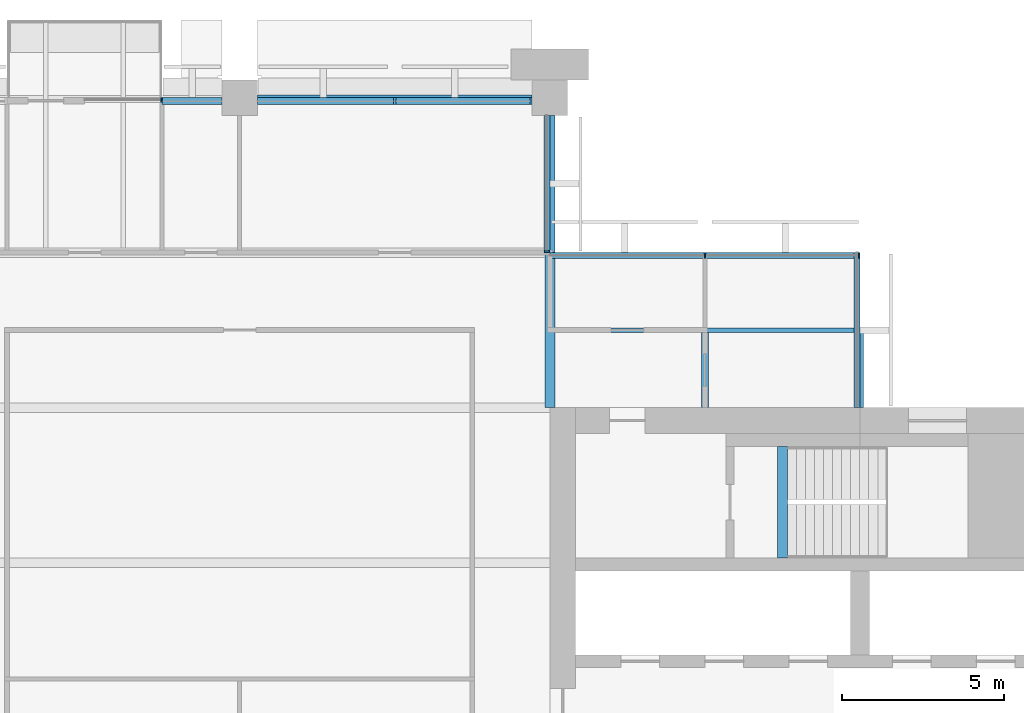
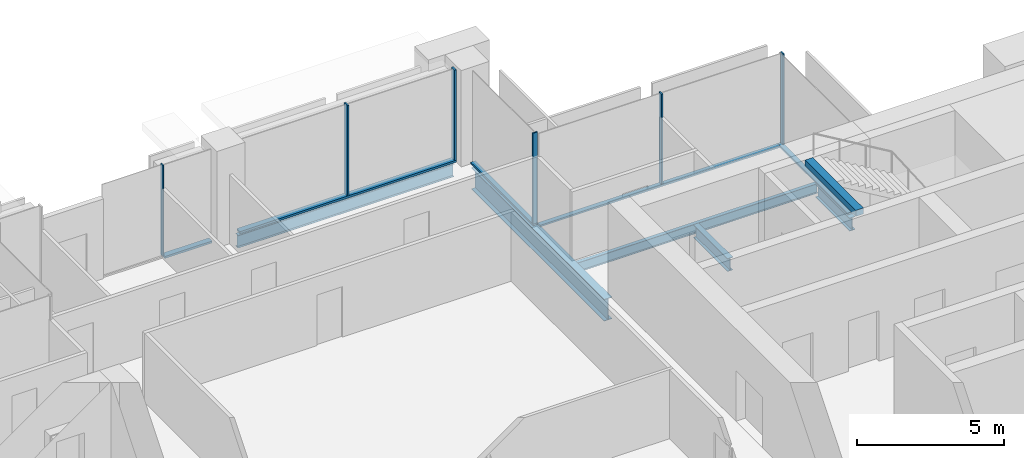
# One storey, part 6 of 14: 11 members, 6 beams, 5 elements without a shape of their own.
"""IFC4 building model written with IfcOpenShell, lengths in metres."""

from ifc_helpers import new_model, si_unit, direction, frame, origin, origin_2d, place, context, subcontext, project, spatial, rectangle, i_section, extrude, material, material_profile, profile_set, type_object, element, aggregate, save


model = new_model("IFC4")

# Units and contexts
model_context = context("Model", 3, precision=1e-05, world=origin(), true_north=direction((0.0, 1.0)))
body_context = subcontext(model_context, "Body", "Model", "MODEL_VIEW")
ifc_project = project(units=[si_unit("LENGTHUNIT", "METRE"), si_unit("AREAUNIT", "SQUARE_METRE"), si_unit("VOLUMEUNIT", "CUBIC_METRE"), si_unit("PLANEANGLEUNIT", "RADIAN"), si_unit("MASSUNIT", "GRAM", prefix="KILO")], contexts=[model_context])

# Site, building, storey
site_placement = place(None, origin())
site = spatial("IfcSite", under=ifc_project, at=site_placement, CompositionType="ELEMENT")
building_placement = place(site_placement, origin())
building = spatial("IfcBuilding", under=site, at=building_placement, Name="Baori Bourse Tower", CompositionType="ELEMENT")
storey_placement = place(building_placement, frame((0.0, 0.0, 233.199951171875)))
storey = spatial("IfcBuildingStorey", under=building, at=storey_placement, Name="L51", CompositionType="ELEMENT", Elevation=233.199951171875)

# Curtain wall, members
ifc_material_1 = material(Name="Pale anodised aluminium", Category="aluminium")
curtain_wall_type_1 = type_object("IfcCurtainWallType", Name="CW2 Curtain wall", PredefinedType="NOTDEFINED", material=ifc_material_1)
curtain_wall_1_placement = place(storey_placement, origin())
curtain_wall_1 = element("IfcCurtainWall", 1, at=curtain_wall_1_placement, inside=storey, type_object=curtain_wall_type_1, Name="Curtain wall CW2 L51 2", PredefinedType="NOTDEFINED")
ifc_material_2 = material(Name="Pale anodised aluminium", Category="aluminium")
ifc_material_profile_1 = material_profile(ifc_material_2, rectangle(XDim=0.179931640625, YDim=0.054931640625, at=origin_2d()), Name="Mullion 55x180")
ifc_profile_set_1 = profile_set([ifc_material_profile_1], Name="Pale anodised aluminium")
member_type_1 = type_object("IfcMemberType", Name="CW2 Curtain wall mullion", PredefinedType="MULLION", material=ifc_profile_set_1)
member_1_placement = place(storey_placement, frame((47.972412109375, 43.110107421875, 0.070068359375), z_axis=(0.0, 0.0, 1.0), x_axis=(0.0, -1.0, 0.0)))
member_1 = element("IfcMember", 2, at=member_1_placement, type_object=member_type_1, Name="Curtain wall CW2 mullion", PredefinedType="MULLION", context=body_context, shape_type="SweptSolid", body=[
    extrude(rectangle(XDim=0.179931640625, YDim=0.054931640625, at=origin_2d()), origin(), (0.0, 0.0, 1.0), 3.77001953125),
])
member_2_placement = place(storey_placement, frame((43.199951171875, 43.110107421875, 0.070068359375), z_axis=(0.0, 0.0, 1.0), x_axis=(0.0, -1.0, 0.0)))
member_2 = element("IfcMember", 3, at=member_2_placement, type_object=member_type_1, Name="Curtain wall CW2 mullion", PredefinedType="MULLION", context=body_context, shape_type="SweptSolid", body=[
    extrude(rectangle(XDim=0.179931640625, YDim=0.054931640625, at=origin_2d()), origin(), (0.0, 0.0, 1.0), 3.77001953125),
])

# Curtain wall, member
curtain_wall_2_placement = place(storey_placement, origin())
curtain_wall_2 = element("IfcCurtainWall", 4, at=curtain_wall_2_placement, inside=storey, type_object=curtain_wall_type_1, Name="Curtain wall CW2 L51 3", PredefinedType="NOTDEFINED")
member_3_placement = place(storey_placement, frame((38.31005859375, 43.2275390625, 0.070068359375), z_axis=(0.0, 0.0, 1.0), x_axis=(-1.0, 0.0, 0.0)))
member_3 = element("IfcMember", 5, at=member_3_placement, type_object=member_type_1, Name="Curtain wall CW2 mullion", PredefinedType="MULLION", context=body_context, shape_type="SweptSolid", body=[
    extrude(rectangle(XDim=0.179931640625, YDim=0.054931640625, at=origin_2d()), origin(), (0.0, 0.0, 1.0), 3.77001953125),
])

curtain_wall_3_placement = place(storey_placement, origin())
curtain_wall_3 = element("IfcCurtainWall", 6, at=curtain_wall_3_placement, inside=storey, type_object=curtain_wall_type_1, Name="Curtain wall CW2 L51 1", PredefinedType="NOTDEFINED")
ifc_material_3 = material(Name="Pale anodised aluminium", Category="aluminium")
ifc_material_profile_2 = material_profile(ifc_material_3, rectangle(XDim=0.179931640625, YDim=0.070068359375, at=origin_2d()), Name="Transom 70x180")
ifc_profile_set_2 = profile_set([ifc_material_profile_2], Name="Pale anodised aluminium")
member_type_2 = type_object("IfcMemberType", Name="CW2 Curtain wall transom", PredefinedType="USERDEFINED", material=ifc_profile_set_2)
member_4_placement = place(storey_placement, frame((47.909912109375, 38.39990234375, 0.03515625), z_axis=(0.0, 1.0, 0.0), x_axis=(-1.0, 0.0, 0.0)))
member_4 = element("IfcMember", 7, at=member_4_placement, type_object=member_type_2, Name="Curtain wall CW2 sill rail", ObjectType="TRANSOM", PredefinedType="USERDEFINED", context=body_context, shape_type="SweptSolid", body=[
    extrude(rectangle(XDim=0.179931640625, YDim=0.070068359375, at=origin_2d()), origin(), (0.0, 0.0, 1.0), 4.800048828125),
])
aggregate(curtain_wall_3, [member_4])

# Member
member_5_placement = place(storey_placement, frame((48.0, 43.110107421875, 0.03515625), z_axis=(-1.0, 0.0, 0.0), x_axis=(0.0, -1.0, 0.0)))
member_5 = element("IfcMember", 8, at=member_5_placement, type_object=member_type_2, Name="Curtain wall CW2 sill rail", ObjectType="TRANSOM", PredefinedType="USERDEFINED", context=body_context, shape_type="SweptSolid", body=[
    extrude(rectangle(XDim=0.179931640625, YDim=0.070068359375, at=origin_2d()), origin(), (0.0, 0.0, 1.0), 9.60009765625),
])

aggregate(curtain_wall_1, [member_5, member_1, member_2])

member_6_placement = place(storey_placement, frame((38.31005859375, 43.199951171875, 0.03515625), z_axis=(0.0, 1.0, 0.0), x_axis=(-1.0, 0.0, 0.0)))
member_6 = element("IfcMember", 9, at=member_6_placement, type_object=member_type_2, Name="Curtain wall CW2 sill rail", ObjectType="TRANSOM", PredefinedType="USERDEFINED", context=body_context, shape_type="SweptSolid", body=[
    extrude(rectangle(XDim=0.179931640625, YDim=0.070068359375, at=origin_2d()), origin(), (0.0, 0.0, 1.0), 4.25),
])

aggregate(curtain_wall_2, [member_6, member_3])

# Curtain wall, members
ifc_material_4 = material(Name="Pale anodised aluminium", Category="aluminium")
curtain_wall_type_2 = type_object("IfcCurtainWallType", Name="CW5 Curtain wall", PredefinedType="NOTDEFINED", material=ifc_material_4)
curtain_wall_4_placement = place(storey_placement, origin())
curtain_wall_4 = element("IfcCurtainWall", 10, at=curtain_wall_4_placement, inside=storey, type_object=curtain_wall_type_2, Name="Curtain wall CW5 L51 4", PredefinedType="NOTDEFINED")
ifc_material_5 = material(Name="Pale anodised aluminium", Category="aluminium")
ifc_material_profile_3 = material_profile(ifc_material_5, rectangle(XDim=0.219970703125, YDim=0.06494140625, at=origin_2d()), Name="Mullion 65x220")
ifc_profile_set_3 = profile_set([ifc_material_profile_3], Name="Pale anodised aluminium")
member_type_3 = type_object("IfcMemberType", Name="CW5 Curtain wall mullion", PredefinedType="MULLION", material=ifc_profile_set_3)
member_7_placement = place(storey_placement, frame((37.8173828125, 47.889892578125, 0.0849609375), z_axis=(0.0, 0.0, 1.0), x_axis=(0.0, -1.0, 0.0)))
member_7 = element("IfcMember", 11, at=member_7_placement, type_object=member_type_3, Name="Curtain wall CW5 mullion", PredefinedType="MULLION", context=body_context, shape_type="SweptSolid", body=[
    extrude(rectangle(XDim=0.219970703125, YDim=0.06494140625, at=origin_2d()), origin(), (0.0, 0.0, 1.0), 3.755126953125),
])
member_8_placement = place(storey_placement, frame((33.60009765625, 47.889892578125, 0.0849609375), z_axis=(0.0, 0.0, 1.0), x_axis=(0.0, -1.0, 0.0)))
member_8 = element("IfcMember", 12, at=member_8_placement, type_object=member_type_3, Name="Curtain wall CW5 mullion", PredefinedType="MULLION", context=body_context, shape_type="SweptSolid", body=[
    extrude(rectangle(XDim=0.219970703125, YDim=0.06494140625, at=origin_2d()), origin(), (0.0, 0.0, 1.0), 3.755126953125),
])
ifc_material_6 = material(Name="Pale anodised aluminium", Category="aluminium")
ifc_material_profile_4 = material_profile(ifc_material_6, rectangle(XDim=0.219970703125, YDim=0.0849609375, at=origin_2d()), Name="Transom 85x220")
ifc_profile_set_4 = profile_set([ifc_material_profile_4], Name="Pale anodised aluminium")
member_type_4 = type_object("IfcMemberType", Name="CW5 Curtain wall transom", PredefinedType="USERDEFINED", material=ifc_profile_set_4)
member_9_placement = place(storey_placement, frame((37.85009765625, 47.889892578125, 0.04248046875), z_axis=(-1.0, 0.0, 0.0), x_axis=(0.0, -1.0, 0.0)))
member_9 = element("IfcMember", 13, at=member_9_placement, type_object=member_type_4, Name="Curtain wall CW5 sill rail", ObjectType="TRANSOM", PredefinedType="USERDEFINED", context=body_context, shape_type="SweptSolid", body=[
    extrude(rectangle(XDim=0.219970703125, YDim=0.0849609375, at=origin_2d()), origin(), (0.0, 0.0, 1.0), 8.5),
])
member_10_placement = place(storey_placement, frame((28.25, 47.889892578125, 0.04248046875), z_axis=(-1.0, 0.0, 0.0), x_axis=(0.0, -1.0, 0.0)))
member_10 = element("IfcMember", 14, at=member_10_placement, type_object=member_type_4, Name="Curtain wall CW5 sill rail", ObjectType="TRANSOM", PredefinedType="USERDEFINED", context=body_context, shape_type="SweptSolid", body=[
    extrude(rectangle(XDim=0.219970703125, YDim=0.0849609375, at=origin_2d()), origin(), (0.0, 0.0, 1.0), 1.85009765625),
])
aggregate(curtain_wall_4, [member_9, member_7, member_8, member_10])

# Curtain wall, member
ifc_material_7 = material(Name="Pale anodised aluminium", Category="aluminium")
curtain_wall_type_3 = type_object("IfcCurtainWallType", Name="CW6 Curtain wall", PredefinedType="NOTDEFINED", material=ifc_material_7)
curtain_wall_5_placement = place(storey_placement, origin())
curtain_wall_5 = element("IfcCurtainWall", 15, at=curtain_wall_5_placement, inside=storey, type_object=curtain_wall_type_3, Name="Curtain wall CW6 L51 5", PredefinedType="NOTDEFINED")
ifc_material_8 = material(Name="Pale anodised aluminium", Category="aluminium")
ifc_material_profile_5 = material_profile(ifc_material_8, rectangle(XDim=0.14990234375, YDim=0.050048828125, at=origin_2d()), Name="Mullion 50x150")
ifc_profile_set_5 = profile_set([ifc_material_profile_5], Name="Pale anodised aluminium")
member_type_5 = type_object("IfcMemberType", Name="CW6 Curtain wall mullion", PredefinedType="MULLION", material=ifc_profile_set_5)
member_11_placement = place(storey_placement, frame((26.375, 47.925048828125, 0.06494140625), z_axis=(0.0, 0.0, 1.0), x_axis=(0.0, -1.0, 0.0)))
member_11 = element("IfcMember", 16, at=member_11_placement, type_object=member_type_5, Name="Curtain wall CW6 mullion", PredefinedType="MULLION", context=body_context, shape_type="SweptSolid", body=[
    extrude(rectangle(XDim=0.14990234375, YDim=0.050048828125, at=origin_2d()), origin(), (0.0, 0.0, 1.0), 3.775146484375),
])
aggregate(curtain_wall_5, [member_11])

# Beams
ifc_material_9 = material(Name="Steel A992 Gr 50", Category="steel")
ifc_material_profile_6 = material_profile(ifc_material_9, i_section(OverallWidth=0.21240234375, OverallDepth=0.54345703125, WebThickness=0.01318359375, FlangeThickness=0.021240234375, at=origin_2d()), Name="W21x83")
ifc_profile_set_6 = profile_set([ifc_material_profile_6], Name="Steel A992 Gr 50")
beam_type_1 = type_object("IfcBeamType", Name="Core bracket W21x83", PredefinedType="BEAM", material=ifc_profile_set_6)
for number, where, z_axis, x_axis, name in (
    (17, (43.199951171875, 38.39990234375, -0.431640625), (0.0, 1.0, 0.0), (-1.0, 0.0, 0.0), "Core bracket L51"),
    (18, (48.0, 38.39990234375, -0.431640625), (0.0, 1.0, 0.0), (-1.0, 0.0, 0.0), "Core bracket L51"),
):
    element("IfcBeam", number, at=place(storey_placement, frame(where, z_axis=z_axis, x_axis=x_axis)), inside=storey, type_object=beam_type_1, Name=name, PredefinedType="BEAM", context=body_context, shape_type="SweptSolid", body=[
        extrude(i_section(OverallWidth=0.21240234375, OverallDepth=0.54345703125, WebThickness=0.01318359375, FlangeThickness=0.021240234375, at=origin_2d()), origin(), (0.0, 0.0, 1.0), 2.329833984375),
    ])
ifc_material_10 = material(Name="Steel A992 Gr 50", Category="steel")
ifc_material_profile_7 = material_profile(ifc_material_10, i_section(OverallWidth=0.1650390625, OverallDepth=0.52587890625, WebThickness=0.0087890625, FlangeThickness=0.011474609375, at=origin_2d()), Name="W21x44")
ifc_profile_set_7 = profile_set([ifc_material_profile_7], Name="Steel A992 Gr 50")
beam_type_2 = type_object("IfcBeamType", Name="Edge beam W21x44", PredefinedType="BEAM", material=ifc_profile_set_7)
beam_1_placement = place(storey_placement, frame((29.35009765625, 48.0, -0.4228515625), z_axis=(1.0, 0.0, 0.0), x_axis=(0.0, 1.0, 0.0)))
element("IfcBeam", 19, at=beam_1_placement, inside=storey, type_object=beam_type_2, Name="Edge beam L51", PredefinedType="BEAM", context=body_context, shape_type="SweptSolid", body=[
    extrude(i_section(OverallWidth=0.1650390625, OverallDepth=0.52587890625, WebThickness=0.0087890625, FlangeThickness=0.011474609375, at=origin_2d()), origin(), (0.0, 0.0, 1.0), 8.5),
])
ifc_material_11 = material(Name="Steel A992 Gr 50", Category="steel")
ifc_material_profile_8 = material_profile(ifc_material_11, i_section(OverallWidth=0.3046875, OverallDepth=0.904296875, WebThickness=0.01513671875, FlangeThickness=0.02001953125, at=origin_2d()), Name="W36x135")
ifc_profile_set_8 = profile_set([ifc_material_profile_8], Name="Steel A992 Gr 50")
beam_type_3 = type_object("IfcBeamType", Name="Girder W36x135", PredefinedType="BEAM", material=ifc_profile_set_8)
beam_2_placement = place(storey_placement, frame((38.39990234375, 38.39990234375, -0.612060546875), z_axis=(0.0, 1.0, 0.0), x_axis=(-1.0, 0.0, 0.0)))
element("IfcBeam", 20, at=beam_2_placement, inside=storey, type_object=beam_type_3, Name="Girder L51", PredefinedType="BEAM", context=body_context, shape_type="SweptSolid", body=[
    extrude(i_section(OverallWidth=0.3046875, OverallDepth=0.904296875, WebThickness=0.01513671875, FlangeThickness=0.02001953125, at=origin_2d()), origin(), (0.0, 0.0, 1.0), 9.050048828125),
])
ifc_material_12 = material(Name="Concrete f'c 50 MPa", Category="concrete")
ifc_material_profile_9 = material_profile(ifc_material_12, rectangle(XDim=0.300048828125, YDim=0.25, at=origin_2d()), Name="RC 300x250")
ifc_profile_set_9 = profile_set([ifc_material_profile_9], Name="Concrete f'c 50 MPa")
beam_type_4 = type_object("IfcBeamType", Name="Stair nib beam RC 300x250", PredefinedType="BEAM", material=ifc_profile_set_9)
beam_3_placement = place(storey_placement, frame((45.60009765625, 33.75, 3.715087890625), z_axis=(0.0, 1.0, 0.0), x_axis=(-1.0, 0.0, 0.0)))
element("IfcBeam", 21, at=beam_3_placement, inside=storey, type_object=beam_type_4, Name="Stair EB nib beam L52", PredefinedType="BEAM", context=body_context, shape_type="SweptSolid", body=[
    extrude(rectangle(XDim=0.300048828125, YDim=0.25, at=origin_2d()), origin(), (0.0, 0.0, 1.0), 3.449951171875),
])
ifc_material_13 = material(Name="Steel A992 Gr 50", Category="steel")
ifc_material_profile_10 = material_profile(ifc_material_13, i_section(OverallWidth=0.140380859375, OverallDepth=0.40380859375, WebThickness=0.007080078125, FlangeThickness=0.01123046875, at=origin_2d()), Name="W16x31")
ifc_profile_set_10 = profile_set([ifc_material_profile_10], Name="Steel A992 Gr 50")
beam_type_5 = type_object("IfcBeamType", Name="Trimmer beam W16x31", PredefinedType="BEAM", material=ifc_profile_set_10)
beam_4_placement = place(storey_placement, frame((38.552490234375, 40.800048828125, -0.36181640625), z_axis=(1.0, 0.0, 0.0), x_axis=(0.0, 1.0, 0.0)))
element("IfcBeam", 22, at=beam_4_placement, inside=storey, type_object=beam_type_5, Name="Trimmer beam L51", PredefinedType="BEAM", context=body_context, shape_type="SweptSolid", body=[
    extrude(i_section(OverallWidth=0.140380859375, OverallDepth=0.40380859375, WebThickness=0.007080078125, FlangeThickness=0.01123046875, at=origin_2d()), origin(), (0.0, 0.0, 1.0), 9.447509765625),
])

save(model, "model.ifc")
